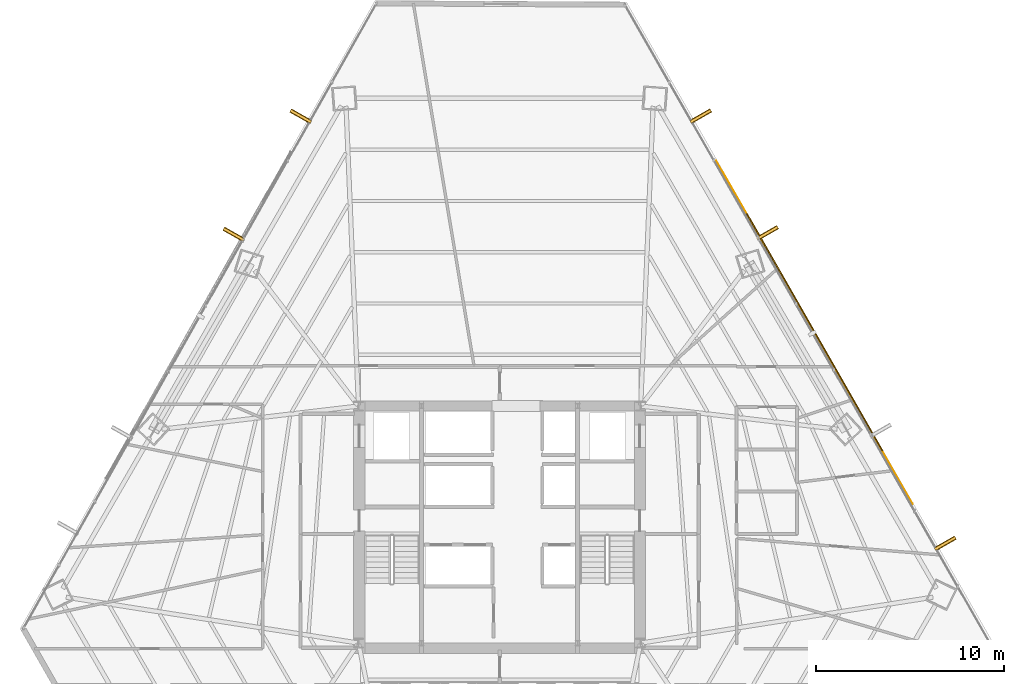
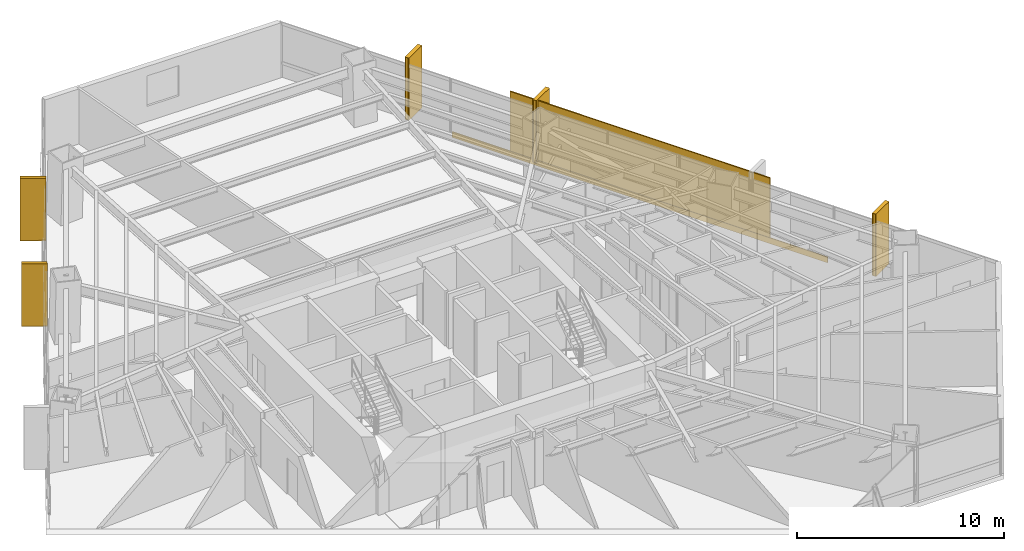
# One storey, part 39 of 39: 6 coverings, 6 shading devices.
"""IFC4 building model written with IfcOpenShell, lengths in metres."""

from ifc_helpers import new_model, si_unit, direction, frame, origin, origin_2d, place, context, subcontext, project, spatial, rectangle, extrude, source, transform, mapped, material, layer, layer_set, type_object, type_shapes, element, save


model = new_model("IFC4")

# Units and contexts
model_context = context("Model", 3, precision=1e-05, world=origin(), true_north=direction((0.0, 1.0)))
body_context = subcontext(model_context, "Body", "Model", "MODEL_VIEW")
ifc_project = project(units=[si_unit("LENGTHUNIT", "METRE"), si_unit("AREAUNIT", "SQUARE_METRE"), si_unit("VOLUMEUNIT", "CUBIC_METRE"), si_unit("PLANEANGLEUNIT", "RADIAN"), si_unit("MASSUNIT", "GRAM", prefix="KILO")], contexts=[model_context])

# Site, building, storey
site_placement = place(None, origin())
site = spatial("IfcSite", under=ifc_project, at=site_placement, CompositionType="ELEMENT")
building_placement = place(site_placement, origin())
building = spatial("IfcBuilding", under=site, at=building_placement, Name="Caelisora Broadcast Tower", CompositionType="ELEMENT")
storey_placement = place(building_placement, frame((0.0, 0.0, 71.39990234375)))
storey = spatial("IfcBuildingStorey", under=building, at=storey_placement, Name="L18", CompositionType="ELEMENT", Elevation=71.39990234375)

# Coverings
ifc_material_1 = material(Name="Kiln-Fired Terracotta Spandrel Rainscreen Cladding", Category="ceramic")
ifc_layer_1 = layer(ifc_material_1, 0.044921875, Name="Kiln-Fired Terracotta Spandrel Rainscreen Cladding")
ifc_layer_set_1 = layer_set([ifc_layer_1], Name="Kiln-Fired Terracotta Spandrel Rainscreen Cladding")
covering_type = type_object("IfcCoveringType", Name="CL-1", PredefinedType="CLADDING", material=ifc_layer_set_1)
shared_shape_1 = source(origin(), body_context, "Body", "SweptSolid", [
    extrude(rectangle(XDim=0.219970703125, YDim=1.25, at=origin_2d()), origin(), (0.0, 0.0, 1.0), 3.68994140625),
])
for number, where, z_axis, x_axis, name in (
    (1, (48.6953125, 45.409912109375, -0.019775390625), (0.0, 0.0, 1.0), (0.49667102347, -0.867938877136, 0.0), "L18 vertical solar fin cladding #1-1"),
    (2, (52.24658203125, 39.202880859375, -0.019775390625), (0.0, 0.0, 1.0), (0.49667102347, -0.867938877136, 0.0), "L18 vertical solar fin cladding #1-2"),
    (3, (61.6904296875, 22.697021484375, -0.019775390625), (0.0, 0.0, 1.0), (0.49667102347, -0.867938877136, 0.0), "L18 vertical solar fin cladding #1-4"),
    (4, (23.880615234375, 39.12109375, -0.019775390625), (0.0, 0.0, 1.0), (0.49181581725, 0.870699260309, 0.0), "L18 vertical solar fin cladding #3-3"),
    (5, (27.429931640625, 45.40380859375, -0.019775390625), (0.0, 0.0, 1.0), (0.49181581725, 0.870699260309, 0.0), "L18 vertical solar fin cladding #3-4"),
):
    element("IfcCovering", number, at=place(storey_placement, frame(where, z_axis=z_axis, x_axis=x_axis)), inside=storey, type_object=covering_type, Name=name, PredefinedType="CLADDING", context=body_context, shape_type="MappedRepresentation", body=[
        mapped(shared_shape_1, transform((0.0, 0.0, 0.0), scale=1.0)),
    ])

# Shading devices
ifc_material_2 = material(Name="Extruded Terracotta Flaring Colonnade Fin", Category="ceramic")
ifc_layer_2 = layer(ifc_material_2, 0.139892578125, Name="Extruded Terracotta Flaring Colonnade Fin")
ifc_layer_set_2 = layer_set([ifc_layer_2], Name="Extruded Terracotta Flaring Colonnade Fin")
shading_device_type_1 = type_object("IfcShadingDeviceType", Name="FN-1", PredefinedType="USERDEFINED", material=ifc_layer_set_2)
shared_shape_2 = source(origin(), body_context, "Body", "SweptSolid", [
    extrude(rectangle(XDim=0.139892578125, YDim=1.25, at=origin_2d()), origin(), (0.0, 0.0, 1.0), 3.669921875),
])
type_shapes(shading_device_type_1, [shared_shape_2])
for number, where, z_axis, x_axis, name in (
    (6, (48.6953125, 45.409912109375, -0.009765625), (0.0, 0.0, 1.0), (0.49667102347, -0.867938877136, 0.0), "L18 vertical terracotta fin #1-1"),
    (7, (52.24658203125, 39.202880859375, -0.009765625), (0.0, 0.0, 1.0), (0.49667102347, -0.867938877136, 0.0), "L18 vertical terracotta fin #1-2"),
    (8, (61.6904296875, 22.697021484375, -0.009765625), (0.0, 0.0, 1.0), (0.49667102347, -0.867938877136, 0.0), "L18 vertical terracotta fin #1-4"),
    (9, (23.880615234375, 39.12109375, -0.009765625), (0.0, 0.0, 1.0), (0.49181581725, 0.870699260309, 0.0), "L18 vertical terracotta fin #3-3"),
    (10, (27.429931640625, 45.40380859375, -0.009765625), (0.0, 0.0, 1.0), (0.49181581725, 0.870699260309, 0.0), "L18 vertical terracotta fin #3-4"),
):
    element("IfcShadingDevice", number, at=place(storey_placement, frame(where, z_axis=z_axis, x_axis=x_axis)), inside=storey, type_object=shading_device_type_1, Name=name, ObjectType="FIN", PredefinedType="USERDEFINED", context=body_context, shape_type="MappedRepresentation", body=[
        mapped(shared_shape_2, transform((0.0, 0.0, 0.0), scale=1.0)),
    ])
ifc_material_3 = material(Name="Perforated Glazed Terracotta Baguette Solar Screen", Category="ceramic")
ifc_layer_3 = layer(ifc_material_3, 0.06494140625, Name="Perforated Glazed Terracotta Baguette Solar Screen")
ifc_layer_set_3 = layer_set([ifc_layer_3], Name="Perforated Glazed Terracotta Baguette Solar Screen")
shading_device_type_2 = type_object("IfcShadingDeviceType", Name="SS-1", PredefinedType="USERDEFINED", material=ifc_layer_set_3)
shared_shape_3 = source(origin(), body_context, "Body", "SweptSolid", [
    extrude(rectangle(XDim=14.548095703125, YDim=0.06494140625, at=origin_2d()), origin(), (0.0, 0.0, 1.0), 3.590087890625),
])
type_shapes(shading_device_type_2, [shared_shape_3])
shading_device_placement = place(storey_placement, frame((54.744384765625, 33.931640625, 0.0), z_axis=(0.0, 0.0, 1.0), x_axis=(-0.49667102347, 0.867938877136, 0.0)))
element("IfcShadingDevice", 11, at=shading_device_placement, inside=storey, type_object=shading_device_type_2, Name="L18 perforated terracotta solar screen #3", ObjectType="SOLAR SCREEN", PredefinedType="USERDEFINED", context=body_context, shape_type="MappedRepresentation", body=[
    mapped(shared_shape_3, transform((0.0, 0.0, 0.0), scale=1.0)),
])

# Covering
shared_shape_4 = source(origin(), body_context, "Body", "SweptSolid", [
    extrude(rectangle(XDim=21.012939453125, YDim=0.044921875, at=origin_2d()), origin(), (0.0, 0.0, 1.0), 0.340087890625),
])
type_shapes(covering_type, [shared_shape_1, shared_shape_4])
covering_placement = place(storey_placement, frame((54.726806640625, 33.921630859375, -0.27001953125), z_axis=(0.0, 0.0, 1.0), x_axis=(-0.49667102347, 0.867938877136, 0.0)))
element("IfcCovering", 12, at=covering_placement, inside=storey, type_object=covering_type, Name="L18 terracotta spandrel rainscreen #3", PredefinedType="CLADDING", context=body_context, shape_type="MappedRepresentation", body=[
    mapped(shared_shape_4, transform((0.0, 0.0, 0.0), scale=1.0)),
])

save(model, "model.ifc")
